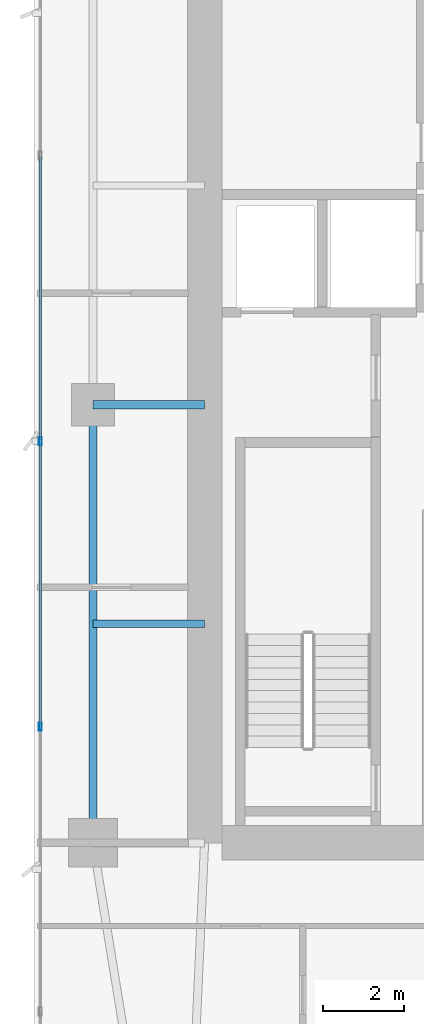
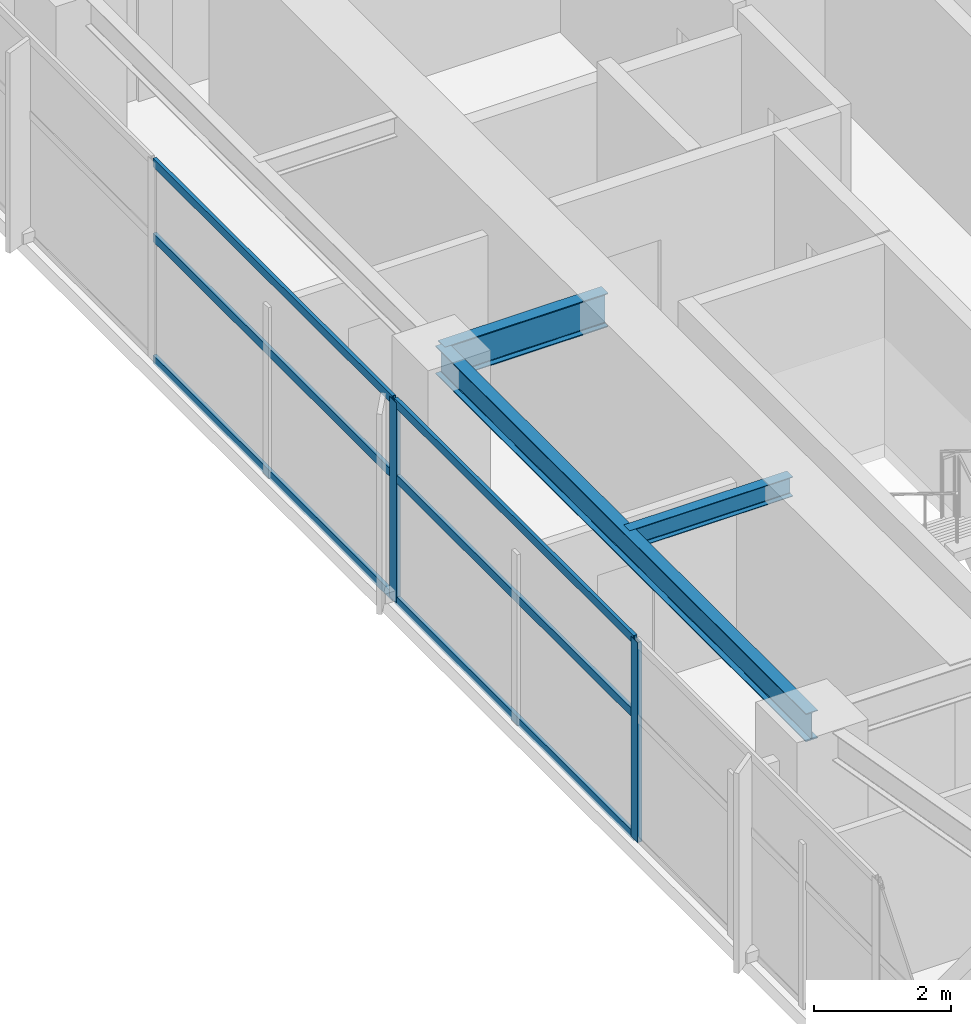
# One storey, part 8 of 29: 8 members, 3 beams, 1 element without a shape of its own.
"""IFC4 building model written with IfcOpenShell, lengths in metres."""

import ifcopenshell
import ifcopenshell.guid

model = None  # the IFC model being written
_history = None  # IfcOwnerHistory: only IFC2X3 demands one
_inside = {}  # id of a spatial element -> (the spatial element, [elements in it])
_under = {}  # id of a project, library or spatial element -> (it, [spatial elements below it])
_declared = {}  # id of a project -> (the project, [libraries it declares])
_typed = {}  # id of a type object -> (the type object, [elements of that type])
_made_of = {}  # id of a material, layer set ... -> (it, [elements and type objects made of it])


def new_model(schema):
    """Start an empty IFC model of exactly this schema.

    Asked for "IFC4X3", IfcOpenShell would pick the latest addendum, in which some entities
    have other attributes; the version numbers below select the first issue.
    IFC2X3 requires an IfcOwnerHistory on every rooted entity: one is made here for all.
    """
    global model, _history
    if schema == "IFC4X3":
        model = ifcopenshell.file(schema_version=(4, 3, 0, 0))
    else:
        model = ifcopenshell.file(schema=schema)
    _inside.clear()
    _under.clear()
    _declared.clear()
    _typed.clear()
    _made_of.clear()
    _history = None
    if model.schema == "IFC2X3":
        org = make("IfcOrganization", Name="unknown")
        user = make(
            "IfcPersonAndOrganization",
            ThePerson=make("IfcPerson", FamilyName="unknown"),
            TheOrganization=org,
        )
        app = make(
            "IfcApplication",
            ApplicationDeveloper=org,
            Version="unknown",
            ApplicationFullName="unknown",
            ApplicationIdentifier="unknown",
        )
        _history = make(
            "IfcOwnerHistory",
            OwningUser=user,
            OwningApplication=app,
            ChangeAction="ADDED",
            CreationDate=0,
        )
    return model


def make(cls, **values):
    """One entity of the class cls with the attributes given. An attribute that is None is left unset."""
    return model.create_entity(
        cls, **{name: value for name, value in values.items() if value is not None}
    )


def rooted(cls, **values):
    """An entity with a GlobalId (a new one), such as an element, a storey or a relation."""
    return make(cls, GlobalId=ifcopenshell.guid.new(), OwnerHistory=_history, **values)


def si_unit(unit_type, name, prefix=None):
    """IfcSIUnit, for example si_unit("LENGTHUNIT", "METRE", prefix="MILLI")."""
    return make("IfcSIUnit", UnitType=unit_type, Prefix=prefix, Name=name)


def assignment(units):
    """IfcUnitAssignment: the units of a project."""
    return None if units is None else make("IfcUnitAssignment", Units=units)


def point(xyz):
    """IfcCartesianPoint."""
    return None if xyz is None else make("IfcCartesianPoint", Coordinates=xyz)


def direction(xyz):
    """IfcDirection."""
    return None if xyz is None else make("IfcDirection", DirectionRatios=xyz)


def frame(location, z_axis=None, x_axis=None):
    """IfcAxis2Placement3D, a coordinate frame: its origin and axes. An axis left out is left unset."""
    return make(
        "IfcAxis2Placement3D",
        Location=point(location),
        Axis=direction(z_axis),
        RefDirection=direction(x_axis),
    )


def frame_2d(location, x_axis=None):
    """IfcAxis2Placement2D, a coordinate frame in the plane: its origin and x axis."""
    return make(
        "IfcAxis2Placement2D", Location=point(location), RefDirection=direction(x_axis)
    )


def origin():
    """The frame at (0, 0, 0) with its axes left unset."""
    return frame((0.0, 0.0, 0.0))


def origin_2d():
    """The frame at (0, 0) in the plane with its x axis left unset."""
    return frame_2d((0.0, 0.0))


def place(relative_to, where):
    """IfcLocalPlacement: puts the frame where relative to a parent placement (None: the world)."""
    return make(
        "IfcLocalPlacement", PlacementRelTo=relative_to, RelativePlacement=where
    )


def context(
    kind, dimensions, precision=None, world=None, true_north=None, identifier=None
):
    """IfcGeometricRepresentationContext, for example the 3D "Model" context."""
    return make(
        "IfcGeometricRepresentationContext",
        ContextIdentifier=identifier,
        ContextType=kind,
        CoordinateSpaceDimension=dimensions,
        Precision=precision,
        WorldCoordinateSystem=world,
        TrueNorth=true_north,
    )


def subcontext(parent, identifier, kind, view, scale=None):
    """IfcGeometricRepresentationSubContext, for example "Body" below "Model"."""
    return make(
        "IfcGeometricRepresentationSubContext",
        ContextIdentifier=identifier,
        ContextType=kind,
        ParentContext=parent,
        TargetScale=scale,
        TargetView=view,
    )


def project(units=None, contexts=None):
    """IfcProject with its units and contexts."""
    return rooted(
        "IfcProject",
        Name="project",
        RepresentationContexts=contexts,
        UnitsInContext=assignment(units),
    )


def spatial(cls, under=None, at=None, **own):
    """A site, building, storey or space (cls), placed at a placement, below another one or the project."""
    s = rooted(cls, ObjectPlacement=at, **own)
    if under is not None:
        _under.setdefault(under.id(), (under, []))[1].append(s)
    return s


def profile(cls, at=None, kind="AREA", **sizes):
    """A parametric profile (cls). Its sizes go by their IFC names, for example OverallWidth=200.0."""
    return make(cls, ProfileType=kind, Position=at, **sizes)


def hollow_rectangle(**sizes):
    """IfcRectangleHollowProfileDef."""
    return profile("IfcRectangleHollowProfileDef", **sizes)


def i_section(**sizes):
    """IfcIShapeProfileDef."""
    return profile("IfcIShapeProfileDef", **sizes)


def extrude(swept, where, along, depth):
    """IfcExtrudedAreaSolid: the profile swept, set in the frame where, extruded along a direction by depth."""
    return make(
        "IfcExtrudedAreaSolid",
        SweptArea=swept,
        Position=where,
        ExtrudedDirection=direction(along),
        Depth=depth,
    )


def shape(context_of_items, identifier, shape_type, items):
    """IfcShapeRepresentation: the items that make up one representation, for example the "Body"."""
    return make(
        "IfcShapeRepresentation",
        ContextOfItems=context_of_items,
        RepresentationIdentifier=identifier,
        RepresentationType=shape_type,
        Items=items,
    )


def material(Name=None, Category=None):
    """IfcMaterial."""
    return make("IfcMaterial", Name=Name, Category=Category)


def layer(
    of_material, thickness, ventilated=None, Name=None, Category=None, Priority=None
):
    """IfcMaterialLayer: one layer of a wall or slab, of a material (None: an air gap)."""
    return make(
        "IfcMaterialLayer",
        Material=of_material,
        LayerThickness=thickness,
        IsVentilated=ventilated,
        Name=Name,
        Category=Category,
        Priority=Priority,
    )


def layer_set(layers, Name=None):
    """IfcMaterialLayerSet."""
    return make("IfcMaterialLayerSet", MaterialLayers=layers, LayerSetName=Name)


def material_profile(
    of_material, cross_section, Name=None, Category=None, Priority=None
):
    """IfcMaterialProfile: a cross section and its material."""
    return make(
        "IfcMaterialProfile",
        Name=Name,
        Material=of_material,
        Profile=cross_section,
        Priority=Priority,
        Category=Category,
    )


def profile_set(profiles, Name=None, composite=None):
    """IfcMaterialProfileSet."""
    return make(
        "IfcMaterialProfileSet",
        Name=Name,
        MaterialProfiles=profiles,
        CompositeProfile=composite,
    )


def made_of(thing, what):
    """Note that an element or type object is made of a material, layer set ...; save() writes the relation."""
    if what is not None:
        _made_of.setdefault(what.id(), (what, []))[1].append(thing)
    return thing


def type_object(cls, material=None, **own):
    """A type object (cls), such as IfcWallType, which elements share."""
    return made_of(rooted(cls, **own), material)


def element(
    cls,
    number,
    at=None,
    inside=None,
    cuts=None,
    type_object=None,
    material=None,
    context=None,
    identifier="Body",
    shape_type=None,
    held_by="IfcProductDefinitionShape",
    body=None,
    shapes=None,
    **own,
):
    """One element of the class cls, such as IfcWall. Its Tag is "e" and its number.

    at: its placement. inside: the storey or other place that contains it. cuts: it is an
    opening in that element (IfcRelVoidsElement). A single representation is given by context,
    identifier, shape_type and body (its items); several are given by shapes. held_by: the class
    of the entity that holds the representations. save() writes the other relations.
    """
    e = rooted(cls, Tag="e%d" % number, ObjectPlacement=at, **own)
    if body is not None:
        shapes = [shape(context, identifier, shape_type, body)]
    if shapes is not None:
        e.Representation = make(held_by, Representations=shapes)
    if inside is not None:
        _inside.setdefault(inside.id(), (inside, []))[1].append(e)
    if cuts is not None:
        rooted(
            "IfcRelVoidsElement", RelatingBuildingElement=cuts, RelatedOpeningElement=e
        )
    if type_object is not None:
        _typed.setdefault(type_object.id(), (type_object, []))[1].append(e)
    return made_of(e, material)


def aggregate(whole, parts):
    """IfcRelAggregates: a whole, such as a stair, and the parts it consists of."""
    return rooted("IfcRelAggregates", RelatingObject=whole, RelatedObjects=parts)


def save(model, path):
    """Write the relations noted so far, then the file.

    IfcRelAggregates (storeys below a building ...), IfcRelContainedInSpatialStructure (elements
    in a storey), IfcRelDefinesByType, IfcRelAssociatesMaterial and IfcRelDeclares: one each for
    every whole, place, type object, material and project.
    """
    for whole, parts in _under.values():
        aggregate(whole, parts)
    for where, things in _inside.values():
        rooted(
            "IfcRelContainedInSpatialStructure",
            RelatedElements=things,
            RelatingStructure=where,
        )
    for kind, things in _typed.values():
        rooted("IfcRelDefinesByType", RelatedObjects=things, RelatingType=kind)
    for what, things in _made_of.values():
        rooted("IfcRelAssociatesMaterial", RelatedObjects=things, RelatingMaterial=what)
    for by, libraries in _declared.values():
        rooted("IfcRelDeclares", RelatingContext=by, RelatedDefinitions=libraries)
    model.write(path)


model = new_model("IFC4")

# Units and contexts
model_context = context("Model", 3, precision=1e-05, world=origin(), true_north=direction((0.0, 1.0)))
body_context = subcontext(model_context, "Body", "Model", "MODEL_VIEW")
ifc_project = project(units=[si_unit("LENGTHUNIT", "METRE"), si_unit("AREAUNIT", "SQUARE_METRE"), si_unit("VOLUMEUNIT", "CUBIC_METRE"), si_unit("PLANEANGLEUNIT", "RADIAN"), si_unit("MASSUNIT", "GRAM", prefix="KILO")], contexts=[model_context])

# Site, building, storey
site_placement = place(None, origin())
site = spatial("IfcSite", under=ifc_project, at=site_placement, CompositionType="ELEMENT")
building_placement = place(site_placement, origin())
building = spatial("IfcBuilding", under=site, at=building_placement, Name="Calvorn Quay Hotel", CompositionType="ELEMENT")
storey_placement = place(building_placement, frame((0.0, 0.0, 171.300048828125)))
storey = spatial("IfcBuildingStorey", under=building, at=storey_placement, Name="L42", CompositionType="ELEMENT", Elevation=171.300048828125)

# Beams
ifc_material_1 = material(Name="Steel Q355B", Category="steel")
ifc_material_profile_1 = material_profile(ifc_material_1, i_section(OverallWidth=0.199951171875, OverallDepth=0.60009765625, WebThickness=0.010986328125, FlangeThickness=0.01708984375, FilletRadius=0.01806640625, at=origin_2d()), Name="HN600x200x11x17")
ifc_profile_set_1 = profile_set([ifc_material_profile_1], Name="Steel Q355B")
beam_type_1 = type_object("IfcBeamType", Name="BM-GIRD-TYP", PredefinedType="BEAM", material=ifc_profile_set_1)
beam_1_placement = place(storey_placement, frame((1.449951171875, 27.60009765625, 3.239990234375), z_axis=(1.0, 0.0, 0.0), x_axis=(0.0, 1.0, 0.0)))
element("IfcBeam", 1, at=beam_1_placement, inside=storey, type_object=beam_type_1, Name="Beam BG-L42-W2", PredefinedType="BEAM", context=body_context, shape_type="SweptSolid", body=[
    extrude(i_section(OverallWidth=0.199951171875, OverallDepth=0.60009765625, WebThickness=0.010986328125, FlangeThickness=0.01708984375, FilletRadius=0.01806640625, at=origin_2d()), origin(), (0.0, 0.0, 1.0), 2.75),
])
ifc_material_2 = material(Name="Steel Q355B", Category="steel")
ifc_material_profile_2 = material_profile(ifc_material_2, i_section(OverallWidth=0.175048828125, OverallDepth=0.35009765625, WebThickness=0.007080078125, FlangeThickness=0.010986328125, FilletRadius=0.013916015625, at=origin_2d()), Name="HN350x175x7x11")
ifc_profile_set_2 = profile_set([ifc_material_profile_2], Name="Steel Q355B")
beam_type_2 = type_object("IfcBeamType", Name="BM-JOIST-SEC", PredefinedType="JOIST", material=ifc_profile_set_2)
beam_2_placement = place(storey_placement, frame((1.449951171875, 22.199951171875, 3.364990234375), z_axis=(1.0, 0.0, 0.0), x_axis=(0.0, 1.0, 0.0)))
element("IfcBeam", 2, at=beam_2_placement, inside=storey, type_object=beam_type_2, Name="Beam BJ-L42-W3", PredefinedType="JOIST", context=body_context, shape_type="SweptSolid", body=[
    extrude(i_section(OverallWidth=0.175048828125, OverallDepth=0.35009765625, WebThickness=0.007080078125, FlangeThickness=0.010986328125, FilletRadius=0.013916015625, at=origin_2d()), origin(), (0.0, 0.0, 1.0), 2.75),
])
ifc_material_3 = material(Name="Steel Q355B", Category="steel")
ifc_material_profile_3 = material_profile(ifc_material_3, i_section(OverallWidth=0.199951171875, OverallDepth=0.5, WebThickness=0.010009765625, FlangeThickness=0.01611328125, FilletRadius=0.01611328125, at=origin_2d()), Name="HN500x200x10x16")
ifc_profile_set_3 = profile_set([ifc_material_profile_3], Name="Steel Q355B")
beam_type_3 = type_object("IfcBeamType", Name="BM-SPANDREL-Z1", PredefinedType="SPANDREL", material=ifc_profile_set_3)
beam_3_placement = place(storey_placement, frame((1.449951171875, 16.800048828125, 3.2900390625), z_axis=(0.0, 1.0, 0.0), x_axis=(-1.0, 0.0, 0.0)))
element("IfcBeam", 3, at=beam_3_placement, inside=storey, type_object=beam_type_3, Name="Beam BSP-L42-W2", PredefinedType="SPANDREL", context=body_context, shape_type="SweptSolid", body=[
    extrude(i_section(OverallWidth=0.199951171875, OverallDepth=0.5, WebThickness=0.010009765625, FlangeThickness=0.01611328125, FilletRadius=0.01611328125, at=origin_2d()), origin(), (0.0, 0.0, 1.0), 10.800048828125),
])

# Curtain wall, members
ifc_material_4 = material(Name="Pale Anodised Aluminium and Low-E Glass", Category="aluminium")
ifc_layer = layer(ifc_material_4, 0.219970703125)
ifc_layer_set = layer_set([ifc_layer], Name="CW-SYS-Z2")
curtain_wall_type = type_object("IfcCurtainWallType", Name="CW-SYS-Z2", PredefinedType="NOTDEFINED", material=ifc_layer_set)
curtain_wall_placement = place(storey_placement, origin())
curtain_wall = element("IfcCurtainWall", 4, at=curtain_wall_placement, inside=storey, type_object=curtain_wall_type, Name="Tower West Curtain Wall (L42)", PredefinedType="NOTDEFINED")
ifc_material_5 = material(Name="Pale Anodised Aluminium 6063-T6", Category="aluminium")
ifc_material_profile_4 = material_profile(ifc_material_5, hollow_rectangle(XDim=0.070068359375, YDim=0.199951171875, WallThickness=0.00390625, at=origin_2d()), Name="ALU-M200x70x4")
ifc_profile_set_4 = profile_set([ifc_material_profile_4], Name="Pale Anodised Aluminium 6063-T6")
member_type_1 = type_object("IfcMemberType", Name="CW-SYS-Z2-MUL", PredefinedType="MULLION", material=ifc_profile_set_4)
member_1_placement = place(storey_placement, frame((0.14990234375, 19.666748046875, 0.0), z_axis=(0.0, 0.0, 1.0), x_axis=(-1.0, 0.0, 0.0)))
member_1 = element("IfcMember", 5, at=member_1_placement, type_object=member_type_1, Name="CW-L42-W mullion 3", PredefinedType="MULLION", context=body_context, shape_type="SweptSolid", body=[
    extrude(hollow_rectangle(XDim=0.070068359375, YDim=0.199951171875, WallThickness=0.00390625, at=origin_2d()), origin(), (0.0, 0.0, 1.0), 3.56005859375),
])
member_2_placement = place(storey_placement, frame((0.14990234375, 26.699951171875, 0.0), z_axis=(0.0, 0.0, 1.0), x_axis=(-1.0, 0.0, 0.0)))
member_2 = element("IfcMember", 6, at=member_2_placement, type_object=member_type_1, Name="CW-L42-W mullion 4", PredefinedType="MULLION", context=body_context, shape_type="SweptSolid", body=[
    extrude(hollow_rectangle(XDim=0.070068359375, YDim=0.199951171875, WallThickness=0.00390625, at=origin_2d()), origin(), (0.0, 0.0, 1.0), 3.56005859375),
])
ifc_material_6 = material(Name="Pale Anodised Aluminium 6063-T6", Category="aluminium")
ifc_material_profile_5 = material_profile(ifc_material_6, hollow_rectangle(XDim=0.06005859375, YDim=0.14990234375, WallThickness=0.00341796875, at=origin_2d()), Name="ALU-T150x60x3.5")
ifc_profile_set_5 = profile_set([ifc_material_profile_5], Name="Pale Anodised Aluminium 6063-T6")
member_type_2 = type_object("IfcMemberType", Name="CW-SYS-Z2-TRN", PredefinedType="USERDEFINED", material=ifc_profile_set_5)
member_3_placement = place(storey_placement, frame((0.14990234375, 19.69677734375, 0.030029296875), z_axis=(0.0, 1.0, 0.0), x_axis=(-1.0, 0.0, 0.0)))
member_3 = element("IfcMember", 7, at=member_3_placement, type_object=member_type_2, Name="CW-L42-W transom 3.1", ObjectType="TRANSOM", PredefinedType="USERDEFINED", context=body_context, shape_type="SweptSolid", body=[
    extrude(hollow_rectangle(XDim=0.06005859375, YDim=0.14990234375, WallThickness=0.00341796875, at=origin_2d()), origin(), (0.0, 0.0, 1.0), 6.97314453125),
])
member_4_placement = place(storey_placement, frame((0.14990234375, 19.69677734375, 2.199951171875), z_axis=(0.0, 1.0, 0.0), x_axis=(-1.0, 0.0, 0.0)))
member_4 = element("IfcMember", 8, at=member_4_placement, type_object=member_type_2, Name="CW-L42-W transom 3.2", ObjectType="TRANSOM", PredefinedType="USERDEFINED", context=body_context, shape_type="SweptSolid", body=[
    extrude(hollow_rectangle(XDim=0.06005859375, YDim=0.14990234375, WallThickness=0.00341796875, at=origin_2d()), origin(), (0.0, 0.0, 1.0), 6.97314453125),
])
member_5_placement = place(storey_placement, frame((0.14990234375, 19.69677734375, 3.530029296875), z_axis=(0.0, 1.0, 0.0), x_axis=(-1.0, 0.0, 0.0)))
member_5 = element("IfcMember", 9, at=member_5_placement, type_object=member_type_2, Name="CW-L42-W transom 3.3", ObjectType="TRANSOM", PredefinedType="USERDEFINED", context=body_context, shape_type="SweptSolid", body=[
    extrude(hollow_rectangle(XDim=0.06005859375, YDim=0.14990234375, WallThickness=0.00341796875, at=origin_2d()), origin(), (0.0, 0.0, 1.0), 6.97314453125),
])
member_6_placement = place(storey_placement, frame((0.14990234375, 26.72998046875, 0.030029296875), z_axis=(0.0, 1.0, 0.0), x_axis=(-1.0, 0.0, 0.0)))
member_6 = element("IfcMember", 10, at=member_6_placement, type_object=member_type_2, Name="CW-L42-W transom 4.1", ObjectType="TRANSOM", PredefinedType="USERDEFINED", context=body_context, shape_type="SweptSolid", body=[
    extrude(hollow_rectangle(XDim=0.06005859375, YDim=0.14990234375, WallThickness=0.00341796875, at=origin_2d()), origin(), (0.0, 0.0, 1.0), 6.973388671875),
])
member_7_placement = place(storey_placement, frame((0.14990234375, 26.72998046875, 2.199951171875), z_axis=(0.0, 1.0, 0.0), x_axis=(-1.0, 0.0, 0.0)))
member_7 = element("IfcMember", 11, at=member_7_placement, type_object=member_type_2, Name="CW-L42-W transom 4.2", ObjectType="TRANSOM", PredefinedType="USERDEFINED", context=body_context, shape_type="SweptSolid", body=[
    extrude(hollow_rectangle(XDim=0.06005859375, YDim=0.14990234375, WallThickness=0.00341796875, at=origin_2d()), origin(), (0.0, 0.0, 1.0), 6.973388671875),
])
member_8_placement = place(storey_placement, frame((0.14990234375, 26.72998046875, 3.530029296875), z_axis=(0.0, 1.0, 0.0), x_axis=(-1.0, 0.0, 0.0)))
member_8 = element("IfcMember", 12, at=member_8_placement, type_object=member_type_2, Name="CW-L42-W transom 4.3", ObjectType="TRANSOM", PredefinedType="USERDEFINED", context=body_context, shape_type="SweptSolid", body=[
    extrude(hollow_rectangle(XDim=0.06005859375, YDim=0.14990234375, WallThickness=0.00341796875, at=origin_2d()), origin(), (0.0, 0.0, 1.0), 6.973388671875),
])
aggregate(curtain_wall, [member_1, member_2, member_3, member_4, member_5, member_6, member_7, member_8])

save(model, "model.ifc")
